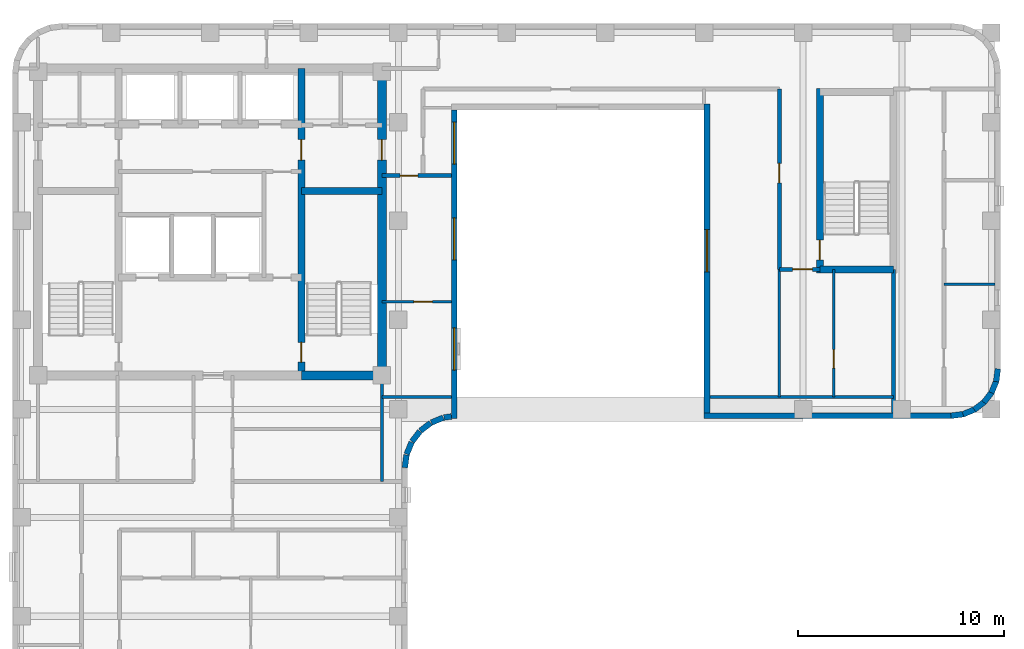
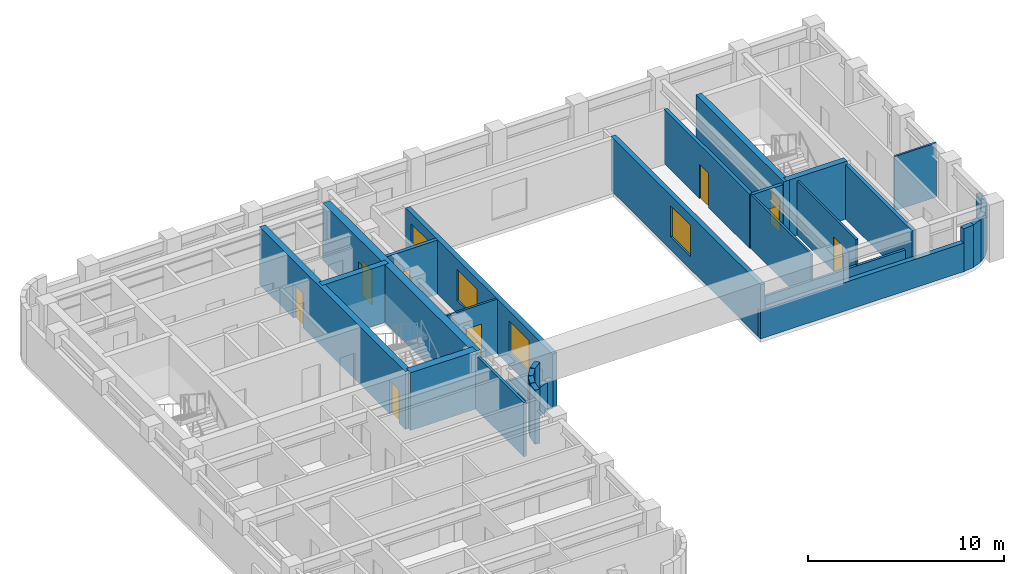
# One storey, part 4 of 8: 32 walls, 9 doors, 4 windows, 13 openings.
"""IFC4 building model written with IfcOpenShell, lengths in metres."""

from ifc_helpers import new_model, si_unit, direction, frame, frame_2d, origin, place, context, subcontext, project, spatial, rectangle, extrude, material, layer, layer_set, type_object, element, fill, save


model = new_model("IFC4")

# Units and contexts
model_context = context("Model", 3, precision=1e-05, world=origin(), true_north=direction((0.0, 1.0)))
body_context = subcontext(model_context, "Body", "Model", "MODEL_VIEW")
ifc_project = project(units=[si_unit("LENGTHUNIT", "METRE"), si_unit("AREAUNIT", "SQUARE_METRE"), si_unit("VOLUMEUNIT", "CUBIC_METRE"), si_unit("PLANEANGLEUNIT", "RADIAN"), si_unit("MASSUNIT", "GRAM", prefix="KILO")], contexts=[model_context])

# Site, building, storey
site_placement = place(None, origin())
site = spatial("IfcSite", under=ifc_project, at=site_placement, CompositionType="ELEMENT")
building_placement = place(site_placement, origin())
building = spatial("IfcBuilding", under=site, at=building_placement, Name="Orvandelia Arch Residences", CompositionType="ELEMENT")
storey_placement = place(building_placement, frame((0.0, 0.0, 203.800048828125)))
storey = spatial("IfcBuildingStorey", under=building, at=storey_placement, Name="L53", CompositionType="ELEMENT", Elevation=203.800048828125)

# Wall, openings, doors
ifc_material_1 = material(Name="Concrete C50/60", Category="concrete")
ifc_layer_1 = layer(ifc_material_1, 0.35009765625, Name="Concrete C50/60", Category="concrete")
ifc_layer_set_1 = layer_set([ifc_layer_1], Name="Concrete C50/60")
wall_type_1 = type_object("IfcWallType", Name="WL-CORE-350", PredefinedType="SHEAR", material=ifc_layer_set_1)
wall_1_placement = place(storey_placement, frame((18.840087890625, 30.89990234375, 0.0), z_axis=(0.0, 0.0, 1.0), x_axis=(0.0, 1.0, 0.0)))
wall_1 = element("IfcWall", 1, at=wall_1_placement, inside=storey, type_object=wall_type_1, Name="Core Shear Wall L53-WEB2", PredefinedType="SHEAR", context=body_context, shape_type="SweptSolid", body=[
    extrude(rectangle(XDim=14.900146484375, YDim=0.35009765625, at=frame_2d((7.4501953125, 0.0))), origin(), (0.0, 0.0, 1.0), 3.599853515625),
])
opening_1_placement = place(wall_1_placement, frame((0.64990234375, 0.0, 0.0)))
opening_1 = element("IfcOpeningElement", 2, at=opening_1_placement, cuts=wall_1, Name="Opening D7", PredefinedType="OPENING", context=body_context, shape_type="SweptSolid", body=[
    extrude(rectangle(XDim=0.949951171875, YDim=2.10009765625, at=frame_2d((0.47509765625, 1.050048828125))), frame((0.0, 0.18505859375, 0.0), z_axis=(0.0, -1.0, 0.0), x_axis=(1.0, 0.0, 0.0)), (0.0, 0.0, 1.0), 0.3701171875),
])
opening_2_placement = place(wall_1_placement, frame((10.449951171875, 0.0, 0.0)))
opening_2 = element("IfcOpeningElement", 3, at=opening_2_placement, cuts=wall_1, Name="Opening D6", PredefinedType="OPENING", context=body_context, shape_type="SweptSolid", body=[
    extrude(rectangle(XDim=1.0, YDim=2.14990234375, at=frame_2d((0.5, 1.074951171875))), frame((0.0, 0.18505859375, 0.0), z_axis=(0.0, -1.0, 0.0), x_axis=(1.0, 0.0, 0.0)), (0.0, 0.0, 1.0), 0.3701171875),
])
ifc_material_2 = material(Name="Smokeproof Painted Steel Fire Door", Category="steel")
door_type_1 = type_object("IfcDoorType", Name="DR-FD60-1000", OperationType="NOTDEFINED", PredefinedType="DOOR", material=ifc_material_2)
door_1_placement = place(opening_2_placement, origin())
door_1 = element("IfcDoor", 4, at=door_1_placement, inside=storey, type_object=door_type_1, Name="High-Rise Lift Hall East Vestibule Door L53", OperationType="SINGLE_SWING_RIGHT", OverallHeight=2.14990234375, OverallWidth=1.0, PredefinedType="DOOR", context=body_context, shape_type="SweptSolid", body=[
    extrude(rectangle(XDim=1.0, YDim=2.14990234375, at=frame_2d((0.5, 1.074951171875))), frame((0.0, 0.02490234375, 0.0), z_axis=(0.0, -1.0, 0.0), x_axis=(1.0, 0.0, 0.0)), (0.0, 0.0, 1.0), 0.050048828125),
])
fill(opening_2, door_1)
ifc_material_3 = material(Name="Pressurised Stairwell Fire Door")
door_type_2 = type_object("IfcDoorType", Name="DR-STAIR-950", OperationType="NOTDEFINED", PredefinedType="DOOR", material=ifc_material_3)
door_2_placement = place(opening_1_placement, origin())
door_2 = element("IfcDoor", 5, at=door_2_placement, inside=storey, type_object=door_type_2, Name="Stairwell ST-2 Fire Door L53", OperationType="SINGLE_SWING_RIGHT", OverallHeight=2.10009765625, OverallWidth=0.949951171875, PredefinedType="DOOR", context=body_context, shape_type="SweptSolid", body=[
    extrude(rectangle(XDim=0.949951171875, YDim=2.10009765625, at=frame_2d((0.47509765625, 1.050048828125))), frame((0.0, 0.02490234375, 0.0), z_axis=(0.0, -1.0, 0.0), x_axis=(1.0, 0.0, 0.0)), (0.0, 0.0, 1.0), 0.050048828125),
])
fill(opening_1, door_2)

# Wall
wall_2_placement = place(storey_placement, frame((18.840087890625, 39.85009765625, 0.0), z_axis=(0.0, 0.0, 1.0), x_axis=(1.0, 0.0, 0.0)))
element("IfcWall", 6, at=wall_2_placement, inside=storey, type_object=wall_type_1, Name="Core Shear Wall L53-HZ2", PredefinedType="SHEAR", context=body_context, shape_type="SweptSolid", body=[
    extrude(rectangle(XDim=3.909912109375, YDim=0.35009765625, at=frame_2d((1.955078125, 0.0))), origin(), (0.0, 0.0, 1.0), 3.599853515625),
])

# Wall, opening, door
wall_3_placement = place(storey_placement, frame((44.02001953125, 35.864990234375, 0.0), z_axis=(0.0, 0.0, 1.0), x_axis=(0.0, 1.0, 0.0)))
wall_3 = element("IfcWall", 7, at=wall_3_placement, inside=storey, type_object=wall_type_1, Name="East Stair Core Shear Wall L53-W", PredefinedType="SHEAR", context=body_context, shape_type="SweptSolid", body=[
    extrude(rectangle(XDim=8.969970703125, YDim=0.35009765625, at=frame_2d((4.48486328125, 0.0))), origin(), (0.0, 0.0, 1.0), 3.599853515625),
])
opening_3_placement = place(wall_3_placement, frame((0.64990234375, 0.0, 0.0)))
opening_3 = element("IfcOpeningElement", 8, at=opening_3_placement, cuts=wall_3, Name="Opening D7", PredefinedType="OPENING", context=body_context, shape_type="SweptSolid", body=[
    extrude(rectangle(XDim=0.949951171875, YDim=2.10009765625, at=frame_2d((0.47509765625, 1.050048828125))), frame((0.0, 0.18505859375, 0.0), z_axis=(0.0, -1.0, 0.0), x_axis=(1.0, 0.0, 0.0)), (0.0, 0.0, 1.0), 0.3701171875),
])
door_3_placement = place(opening_3_placement, origin())
door_3 = element("IfcDoor", 9, at=door_3_placement, inside=storey, type_object=door_type_2, Name="East Stairwell ST-3 Fire Door L53", OperationType="SINGLE_SWING_LEFT", OverallHeight=2.10009765625, OverallWidth=0.949951171875, PredefinedType="DOOR", context=body_context, shape_type="SweptSolid", body=[
    extrude(rectangle(XDim=0.949951171875, YDim=2.10009765625, at=frame_2d((0.47509765625, 1.050048828125))), frame((0.0, 0.02490234375, 0.0), z_axis=(0.0, -1.0, 0.0), x_axis=(1.0, 0.0, 0.0)), (0.0, 0.0, 1.0), 0.050048828125),
])
fill(opening_3, door_3)

# Wall
wall_4_placement = place(storey_placement, frame((44.02001953125, 36.0400390625, 0.0), z_axis=(0.0, 0.0, 1.0), x_axis=(1.0, 0.0, 0.0)))
element("IfcWall", 10, at=wall_4_placement, inside=storey, type_object=wall_type_1, Name="East Stair Core Shear Wall L53-S", PredefinedType="SHEAR", context=body_context, shape_type="SweptSolid", body=[
    extrude(rectangle(XDim=3.580078125, YDim=0.35009765625, at=frame_2d((1.7900390625, 0.0))), origin(), (0.0, 0.0, 1.0), 3.599853515625),
])

# Wall, opening, door
ifc_layer_2 = layer(ifc_material_1, 0.449951171875, Name="Concrete C50/60", Category="concrete")
ifc_layer_set_2 = layer_set([ifc_layer_2], Name="Concrete C50/60")
wall_type_2 = type_object("IfcWallType", Name="WL-CORE-450", PredefinedType="SHEAR", material=ifc_layer_set_2)
wall_5_placement = place(storey_placement, frame((22.75, 30.675048828125, 0.0), z_axis=(0.0, 0.0, 1.0), x_axis=(0.0, 1.0, 0.0)))
wall_5 = element("IfcWall", 11, at=wall_5_placement, inside=storey, type_object=wall_type_2, Name="Core Shear Wall L53-E", PredefinedType="SHEAR", context=body_context, shape_type="SweptSolid", body=[
    extrude(rectangle(XDim=15.349853515625, YDim=0.449951171875, at=frame_2d((7.6748046875, 0.0))), origin(), (0.0, 0.0, 1.0), 3.599853515625),
])
opening_4_placement = place(wall_5_placement, frame((10.675048828125, 0.0, 0.0)))
opening_4 = element("IfcOpeningElement", 12, at=opening_4_placement, cuts=wall_5, Name="Opening D6", PredefinedType="OPENING", context=body_context, shape_type="SweptSolid", body=[
    extrude(rectangle(XDim=1.0, YDim=2.14990234375, at=frame_2d((0.5, 1.074951171875))), frame((0.0, 0.23486328125, 0.0), z_axis=(0.0, -1.0, 0.0), x_axis=(1.0, 0.0, 0.0)), (0.0, 0.0, 1.0), 0.469970703125),
])
door_4_placement = place(opening_4_placement, origin())
door_4 = element("IfcDoor", 13, at=door_4_placement, inside=storey, type_object=door_type_1, Name="Core East Corridor Link Door L53", OperationType="SINGLE_SWING_LEFT", OverallHeight=2.14990234375, OverallWidth=1.0, PredefinedType="DOOR", context=body_context, shape_type="SweptSolid", body=[
    extrude(rectangle(XDim=1.0, YDim=2.14990234375, at=frame_2d((0.5, 1.074951171875))), frame((0.0, 0.02490234375, 0.0), z_axis=(0.0, -1.0, 0.0), x_axis=(1.0, 0.0, 0.0)), (0.0, 0.0, 1.0), 0.050048828125),
])
fill(opening_4, door_4)

# Wall
wall_6_placement = place(storey_placement, frame((18.840087890625, 30.89990234375, 0.0), z_axis=(0.0, 0.0, 1.0), x_axis=(1.0, 0.0, 0.0)))
element("IfcWall", 14, at=wall_6_placement, inside=storey, type_object=wall_type_2, Name="Core Shear Wall L53-SE", PredefinedType="SHEAR", context=body_context, shape_type="SweptSolid", body=[
    extrude(rectangle(XDim=3.909912109375, YDim=0.449951171875, at=frame_2d((1.955078125, 0.0))), origin(), (0.0, 0.0, 1.0), 3.599853515625),
])

# Wall, opening, door
ifc_material_4 = material(Name="Fire-Rated Corridor Partition")
ifc_layer_3 = layer(ifc_material_4, 0.199951171875, Name="Fire-Rated Corridor Partition")
ifc_layer_set_3 = layer_set([ifc_layer_3], Name="Fire-Rated Corridor Partition")
wall_type_3 = type_object("IfcWallType", Name="WL-CORR-200", PredefinedType="PARTITIONING", material=ifc_layer_set_3)
wall_7_placement = place(storey_placement, frame((22.75, 40.60009765625, 0.0), z_axis=(0.0, 0.0, 1.0), x_axis=(1.0, 0.0, 0.0)))
wall_7 = element("IfcWall", 15, at=wall_7_placement, inside=storey, type_object=wall_type_3, Name="Interior Partition Wall WL-L53-ENP-LS", PredefinedType="PARTITIONING", context=body_context, shape_type="SweptSolid", body=[
    extrude(rectangle(XDim=3.3701171875, YDim=0.199951171875, at=frame_2d((1.68505859375, 0.0))), origin(), (0.0, 0.0, 1.0), 3.3798828125),
])
opening_5_placement = place(wall_7_placement, frame((0.8798828125, 0.0, 0.0)))
opening_5 = element("IfcOpeningElement", 16, at=opening_5_placement, cuts=wall_7, Name="Opening D4", PredefinedType="OPENING", context=body_context, shape_type="SweptSolid", body=[
    extrude(rectangle(XDim=0.860107421875, YDim=2.10009765625, at=frame_2d((0.43017578125, 1.050048828125))), frame((0.0, 0.10986328125, 0.0), z_axis=(0.0, -1.0, 0.0), x_axis=(1.0, 0.0, 0.0)), (0.0, 0.0, 1.0), 0.219970703125),
])
ifc_material_5 = material(Name="Moisture-Sealed Timber Bathroom Door", Category="wood")
door_type_3 = type_object("IfcDoorType", Name="DR-WET-900", OperationType="NOTDEFINED", PredefinedType="DOOR", material=ifc_material_5)
door_5_placement = place(opening_5_placement, origin())
door_5 = element("IfcDoor", 17, at=door_5_placement, inside=storey, type_object=door_type_3, Name="DR-L53-VPWL2", OperationType="SINGLE_SWING_RIGHT", OverallHeight=2.10009765625, OverallWidth=0.860107421875, PredefinedType="DOOR", context=body_context, shape_type="SweptSolid", body=[
    extrude(rectangle(XDim=0.860107421875, YDim=2.10009765625, at=frame_2d((0.43017578125, 1.050048828125))), frame((0.0, 0.02490234375, 0.0), z_axis=(0.0, -1.0, 0.0), x_axis=(1.0, 0.0, 0.0)), (0.0, 0.0, 1.0), 0.050048828125),
])
fill(opening_5, door_5)

wall_8_placement = place(storey_placement, frame((42.050048828125, 36.050048828125, 0.0), z_axis=(0.0, 0.0, 1.0), x_axis=(0.0, 1.0, 0.0)))
wall_8 = element("IfcWall", 18, at=wall_8_placement, inside=storey, type_object=wall_type_3, Name="Interior Partition Wall WL-L53-ENP-SW", PredefinedType="PARTITIONING", context=body_context, shape_type="SweptSolid", body=[
    extrude(rectangle(XDim=8.75, YDim=0.199951171875, at=frame_2d((4.375, 0.0))), origin(), (0.0, 0.0, 1.0), 3.3798828125),
])
opening_6_placement = place(wall_8_placement, frame((4.199951171875, 0.0, 0.0)))
opening_6 = element("IfcOpeningElement", 19, at=opening_6_placement, cuts=wall_8, Name="Opening D2", PredefinedType="OPENING", context=body_context, shape_type="SweptSolid", body=[
    extrude(rectangle(XDim=0.949951171875, YDim=2.14990234375, at=frame_2d((0.47509765625, 1.074951171875))), frame((0.0, 0.10986328125, 0.0), z_axis=(0.0, -1.0, 0.0), x_axis=(1.0, 0.0, 0.0)), (0.0, 0.0, 1.0), 0.219970703125),
])
ifc_material_6 = material(Name="Solid-Core Timber Interior Fire Door", Category="wood")
door_type_4 = type_object("IfcDoorType", Name="DR-APT-950", OperationType="NOTDEFINED", PredefinedType="DOOR", material=ifc_material_6)
door_6_placement = place(opening_6_placement, origin())
door_6 = element("IfcDoor", 20, at=door_6_placement, inside=storey, type_object=door_type_4, Name="DR-L53-VPE1", OperationType="SINGLE_SWING_LEFT", OverallHeight=2.14990234375, OverallWidth=0.949951171875, PredefinedType="DOOR", context=body_context, shape_type="SweptSolid", body=[
    extrude(rectangle(XDim=0.949951171875, YDim=2.14990234375, at=frame_2d((0.47509765625, 1.074951171875))), frame((0.0, 0.02490234375, 0.0), z_axis=(0.0, -1.0, 0.0), x_axis=(1.0, 0.0, 0.0)), (0.0, 0.0, 1.0), 0.050048828125),
])
fill(opening_6, door_6)

wall_9_placement = place(storey_placement, frame((42.050048828125, 36.050048828125, 0.0), z_axis=(0.0, 0.0, 1.0), x_axis=(1.0, 0.0, 0.0)))
wall_9 = element("IfcWall", 21, at=wall_9_placement, inside=storey, type_object=wall_type_3, Name="Interior Partition Wall WL-L53-ENP-SS", PredefinedType="PARTITIONING", context=body_context, shape_type="SweptSolid", body=[
    extrude(rectangle(XDim=1.969970703125, YDim=0.199951171875, at=frame_2d((0.98486328125, 0.0))), origin(), (0.0, 0.0, 1.0), 3.3798828125),
])
opening_7_placement = place(wall_9_placement, frame((0.64990234375, 0.0, 0.0)))
opening_7 = element("IfcOpeningElement", 22, at=opening_7_placement, cuts=wall_9, Name="Opening D2", PredefinedType="OPENING", context=body_context, shape_type="SweptSolid", body=[
    extrude(rectangle(XDim=0.949951171875, YDim=2.14990234375, at=frame_2d((0.47509765625, 1.074951171875))), frame((0.0, 0.10986328125, 0.0), z_axis=(0.0, -1.0, 0.0), x_axis=(1.0, 0.0, 0.0)), (0.0, 0.0, 1.0), 0.219970703125),
])
door_7_placement = place(opening_7_placement, origin())
door_7 = element("IfcDoor", 23, at=door_7_placement, inside=storey, type_object=door_type_4, Name="DR-L53-VPS3A", OperationType="SINGLE_SWING_LEFT", OverallHeight=2.14990234375, OverallWidth=0.949951171875, PredefinedType="DOOR", context=body_context, shape_type="SweptSolid", body=[
    extrude(rectangle(XDim=0.949951171875, YDim=2.14990234375, at=frame_2d((0.47509765625, 1.074951171875))), frame((0.0, 0.02490234375, 0.0), z_axis=(0.0, -1.0, 0.0), x_axis=(1.0, 0.0, 0.0)), (0.0, 0.0, 1.0), 0.050048828125),
])
fill(opening_7, door_7)

# Walls
ifc_material_7 = material(Name="Concrete C40/50", Category="concrete")
ifc_layer_4 = layer(ifc_material_7, 0.199951171875, Name="Concrete C40/50", Category="concrete")
ifc_layer_set_4 = layer_set([ifc_layer_4], Name="Concrete C40/50")
wall_type_4 = type_object("IfcWallType", Name="WL-DEM-200", PredefinedType="SOLIDWALL", material=ifc_layer_set_4)
wall_10_placement = place(storey_placement, frame((47.60009765625, 29.080078125, 0.0), z_axis=(0.0, 0.0, 1.0), x_axis=(0.0, 1.0, 0.0)))
element("IfcWall", 24, at=wall_10_placement, inside=storey, type_object=wall_type_4, Name="Interior Partition Wall WL-L53-VPS3-E", PredefinedType="SOLIDWALL", context=body_context, shape_type="SweptSolid", body=[
    extrude(rectangle(XDim=6.9599609375, YDim=0.199951171875, at=frame_2d((3.47998046875, 0.0))), origin(), (0.0, 0.0, 1.0), 3.3798828125),
])
ifc_material_8 = material(Name="Precast concrete C40/50", Category="concrete")
ifc_layer_5 = layer(ifc_material_8, 0.280029296875, Name="Precast concrete C40/50", Category="concrete")
ifc_layer_set_5 = layer_set([ifc_layer_5], Name="Precast concrete C40/50")
wall_type_5 = type_object("IfcWallType", Name="WL-EXT-STONE-280", PredefinedType="STANDARD", material=ifc_layer_set_5)
wall_11_placement = place(storey_placement, frame((52.6611328125, 31.21826171875, 0.0), z_axis=(0.0, 0.0, 1.0), x_axis=(-0.130555323746, -0.9914410257, 0.0)))
element("IfcWall", 25, at=wall_11_placement, inside=storey, type_object=wall_type_5, Name="Coral-Limestone Precast Facade Wall L53-015", PredefinedType="STANDARD", context=body_context, shape_type="SweptSolid", body=[
    extrude(rectangle(XDim=0.62646484375, YDim=0.280029296875, at=frame_2d((0.313232421875, 0.0))), origin(), (0.0, 0.0, 1.0), 2.659912109375),
])
wall_12_placement = place(storey_placement, frame((52.5888671875, 30.63232421875, 0.0), z_axis=(0.0, 0.0, 1.0), x_axis=(-0.382787856107, -0.923836271867, 0.0)))
element("IfcWall", 26, at=wall_12_placement, inside=storey, type_object=wall_type_5, Name="Coral-Limestone Precast Facade Wall L53-016", PredefinedType="STANDARD", context=body_context, shape_type="SweptSolid", body=[
    extrude(rectangle(XDim=0.626220703125, YDim=0.280029296875, at=frame_2d((0.31298828125, 0.0))), origin(), (0.0, 0.0, 1.0), 2.659912109375),
])
for number, where, z_axis, x_axis, name in (
    (27, (52.367431640625, 30.085205078125, 0.0), (0.0, 0.0, 1.0), (-0.608693302629, -0.793405610854, 0.0), "Coral-Limestone Precast Facade Wall L53-017"),
    (28, (52.011962890625, 29.614013671875, 0.0), (0.0, 0.0, 1.0), (-0.793405610854, -0.608693302629, 0.0), "Coral-Limestone Precast Facade Wall L53-018"),
    (29, (51.54638671875, 29.250732421875, 0.0), (0.0, 0.0, 1.0), (-0.92389335771, -0.382650053678, 0.0), "Coral-Limestone Precast Facade Wall L53-019"),
):
    element("IfcWall", number, at=place(storey_placement, frame(where, z_axis=z_axis, x_axis=x_axis)), inside=storey, type_object=wall_type_5, Name=name, PredefinedType="STANDARD", context=body_context, shape_type="SweptSolid", body=[
        extrude(rectangle(XDim=0.62646484375, YDim=0.280029296875, at=frame_2d((0.313232421875, 0.0))), origin(), (0.0, 0.0, 1.0), 2.659912109375),
    ])
wall_13_placement = place(storey_placement, frame((51.0029296875, 29.0205078125, 0.0), z_axis=(0.0, 0.0, 1.0), x_axis=(-0.991447664465, -0.130504898859, 0.0)))
element("IfcWall", 30, at=wall_13_placement, inside=storey, type_object=wall_type_5, Name="Coral-Limestone Precast Facade Wall L53-020", PredefinedType="STANDARD", context=body_context, shape_type="SweptSolid", body=[
    extrude(rectangle(XDim=0.626708984375, YDim=0.280029296875, at=frame_2d((0.3134765625, 0.0))), origin(), (0.0, 0.0, 1.0), 2.659912109375),
])
wall_14_placement = place(storey_placement, frame((50.39990234375, 28.93994140625, 0.0), z_axis=(0.0, 0.0, 1.0), x_axis=(-1.0, 0.0, 0.0)))
element("IfcWall", 31, at=wall_14_placement, inside=storey, type_object=wall_type_5, Name="Coral-Limestone Precast Facade Wall L53-021", PredefinedType="STANDARD", context=body_context, shape_type="SweptSolid", body=[
    extrude(rectangle(XDim=12.0, YDim=0.280029296875, at=frame_2d((6.0, 0.0))), origin(), (0.0, 0.0, 1.0), 1.780029296875),
])

# Wall, opening, window
wall_15_placement = place(storey_placement, frame((38.5400390625, 28.800048828125, 0.0), z_axis=(0.0, 0.0, 1.0), x_axis=(0.0, 1.0, 0.0)))
wall_15 = element("IfcWall", 32, at=wall_15_placement, inside=storey, type_object=wall_type_5, Name="Coral-Limestone Precast Facade Wall L53-022", PredefinedType="STANDARD", context=body_context, shape_type="SweptSolid", body=[
    extrude(rectangle(XDim=15.280029296875, YDim=0.280029296875, at=frame_2d((7.64013671875, 0.0))), origin(), (0.0, 0.0, 1.0), 3.3798828125),
])
opening_8_placement = place(wall_15_placement, frame((7.1298828125, 0.0, 0.800048828125)))
opening_8 = element("IfcOpeningElement", 33, at=opening_8_placement, cuts=wall_15, Name="Opening W8", PredefinedType="OPENING", context=body_context, shape_type="SweptSolid", body=[
    extrude(rectangle(XDim=2.050048828125, YDim=1.949951171875, at=frame_2d((1.02490234375, 0.97509765625))), frame((0.0, 0.14990234375, 0.0), z_axis=(0.0, -1.0, 0.0), x_axis=(1.0, 0.0, 0.0)), (0.0, 0.0, 1.0), 0.300048828125),
])
ifc_material_9 = material(Name="Tempered Low-E Insulated Glazing", Category="glass")
window_type = type_object("IfcWindowType", Name="WIN-UPP-2050x1950", PartitioningType="SINGLE_PANEL", PredefinedType="WINDOW", material=ifc_material_9)
window_1_placement = place(opening_8_placement, origin())
window_1 = element("IfcWindow", 34, at=window_1_placement, inside=storey, type_object=window_type, Name="Recessed Punched Window L53-007", OverallHeight=1.949951171875, OverallWidth=2.050048828125, PartitioningType="SINGLE_PANEL", PredefinedType="WINDOW", context=body_context, shape_type="SweptSolid", body=[
    extrude(rectangle(XDim=2.050048828125, YDim=1.949951171875, at=frame_2d((1.02490234375, 0.97509765625))), frame((0.0, 0.030029296875, 0.0), z_axis=(0.0, -1.0, 0.0), x_axis=(1.0, 0.0, 0.0)), (0.0, 0.0, 1.0), 0.06005859375),
])
fill(opening_8, window_1)

# Wall, openings, windows
wall_16_placement = place(storey_placement, frame((26.260009765625, 43.800048828125, 0.0), z_axis=(0.0, 0.0, 1.0), x_axis=(0.0, -1.0, 0.0)))
wall_16 = element("IfcWall", 35, at=wall_16_placement, inside=storey, type_object=wall_type_5, Name="Coral-Limestone Precast Facade Wall L53-024", PredefinedType="STANDARD", context=body_context, shape_type="SweptSolid", body=[
    extrude(rectangle(XDim=15.0, YDim=0.280029296875, at=frame_2d((7.5, 0.0))), origin(), (0.0, 0.0, 1.0), 3.3798828125),
])
opening_9_placement = place(wall_16_placement, frame((10.590087890625, 0.0, 0.800048828125)))
opening_9 = element("IfcOpeningElement", 36, at=opening_9_placement, cuts=wall_16, Name="Opening W8", PredefinedType="OPENING", context=body_context, shape_type="SweptSolid", body=[
    extrude(rectangle(XDim=2.050048828125, YDim=1.949951171875, at=frame_2d((1.02490234375, 0.97509765625))), frame((0.0, 0.14990234375, 0.0), z_axis=(0.0, -1.0, 0.0), x_axis=(1.0, 0.0, 0.0)), (0.0, 0.0, 1.0), 0.300048828125),
])
opening_10_placement = place(wall_16_placement, frame((5.2451171875, 0.0, 0.800048828125)))
opening_10 = element("IfcOpeningElement", 37, at=opening_10_placement, cuts=wall_16, Name="Opening W8", PredefinedType="OPENING", context=body_context, shape_type="SweptSolid", body=[
    extrude(rectangle(XDim=2.050048828125, YDim=1.949951171875, at=frame_2d((1.02490234375, 0.97509765625))), frame((0.0, 0.14990234375, 0.0), z_axis=(0.0, -1.0, 0.0), x_axis=(1.0, 0.0, 0.0)), (0.0, 0.0, 1.0), 0.300048828125),
])
opening_11_placement = place(wall_16_placement, frame((0.594970703125, 0.0, 0.800048828125)))
opening_11 = element("IfcOpeningElement", 38, at=opening_11_placement, cuts=wall_16, Name="Opening W8", PredefinedType="OPENING", context=body_context, shape_type="SweptSolid", body=[
    extrude(rectangle(XDim=2.050048828125, YDim=1.949951171875, at=frame_2d((1.02490234375, 0.97509765625))), frame((0.0, 0.14990234375, 0.0), z_axis=(0.0, -1.0, 0.0), x_axis=(1.0, 0.0, 0.0)), (0.0, 0.0, 1.0), 0.300048828125),
])
window_2_placement = place(opening_9_placement, origin())
window_2 = element("IfcWindow", 39, at=window_2_placement, inside=storey, type_object=window_type, Name="Recessed Punched Window L53-009", OverallHeight=1.949951171875, OverallWidth=2.050048828125, PartitioningType="SINGLE_PANEL", PredefinedType="WINDOW", context=body_context, shape_type="SweptSolid", body=[
    extrude(rectangle(XDim=2.050048828125, YDim=1.949951171875, at=frame_2d((1.02490234375, 0.97509765625))), frame((0.0, 0.030029296875, 0.0), z_axis=(0.0, -1.0, 0.0), x_axis=(1.0, 0.0, 0.0)), (0.0, 0.0, 1.0), 0.06005859375),
])
fill(opening_9, window_2)
window_3_placement = place(opening_10_placement, origin())
window_3 = element("IfcWindow", 40, at=window_3_placement, inside=storey, type_object=window_type, Name="Recessed Punched Window L53-010", OverallHeight=1.949951171875, OverallWidth=2.050048828125, PartitioningType="SINGLE_PANEL", PredefinedType="WINDOW", context=body_context, shape_type="SweptSolid", body=[
    extrude(rectangle(XDim=2.050048828125, YDim=1.949951171875, at=frame_2d((1.02490234375, 0.97509765625))), frame((0.0, 0.030029296875, 0.0), z_axis=(0.0, -1.0, 0.0), x_axis=(1.0, 0.0, 0.0)), (0.0, 0.0, 1.0), 0.06005859375),
])
fill(opening_10, window_3)
window_4_placement = place(opening_11_placement, origin())
window_4 = element("IfcWindow", 41, at=window_4_placement, inside=storey, type_object=window_type, Name="Recessed Punched Window L53-011", OverallHeight=1.949951171875, OverallWidth=2.050048828125, PartitioningType="SINGLE_PANEL", PredefinedType="WINDOW", context=body_context, shape_type="SweptSolid", body=[
    extrude(rectangle(XDim=2.050048828125, YDim=1.949951171875, at=frame_2d((1.02490234375, 0.97509765625))), frame((0.0, 0.030029296875, 0.0), z_axis=(0.0, -1.0, 0.0), x_axis=(1.0, 0.0, 0.0)), (0.0, 0.0, 1.0), 0.06005859375),
])
fill(opening_11, window_4)

# Walls
wall_17_placement = place(storey_placement, frame((26.123779296875, 28.90478515625, 0.0), z_axis=(0.0, 0.0, 1.0), x_axis=(-0.991436143334, -0.130592395224, 0.0)))
element("IfcWall", 42, at=wall_17_placement, inside=storey, type_object=wall_type_5, Name="Coral-Limestone Precast Facade Wall L53-025", PredefinedType="STANDARD", context=body_context, shape_type="SweptSolid", body=[
    extrude(rectangle(XDim=0.366455078125, YDim=0.280029296875, at=frame_2d((0.18310546875, 0.0))), origin(), (0.0, 0.0, 1.0), 1.780029296875),
])
wall_18_placement = place(storey_placement, frame((25.72509765625, 28.847412109375, 0.0), z_axis=(0.0, 0.0, 1.0), x_axis=(-0.923974080304, -0.382455093999, 0.0)))
element("IfcWall", 43, at=wall_18_placement, inside=storey, type_object=wall_type_5, Name="Coral-Limestone Precast Facade Wall L53-026", PredefinedType="STANDARD", context=body_context, shape_type="SweptSolid", body=[
    extrude(rectangle(XDim=0.626220703125, YDim=0.280029296875, at=frame_2d((0.31298828125, 0.0))), origin(), (0.0, 0.0, 1.0), 1.780029296875),
])
for number, where, z_axis, x_axis, name in (
    (44, (25.11474609375, 28.589599609375, 0.0), (0.0, 0.0, 1.0), (-0.793405610854, -0.608693302629, 0.0), "Coral-Limestone Precast Facade Wall L53-027"),
    (45, (24.591796875, 28.182373046875, 0.0), (0.0, 0.0, 1.0), (-0.608693302629, -0.793405610854, 0.0), "Coral-Limestone Precast Facade Wall L53-028"),
    (46, (24.192138671875, 27.653564453125, 0.0), (0.0, 0.0, 1.0), (-0.382650053678, -0.92389335771, 0.0), "Coral-Limestone Precast Facade Wall L53-029"),
):
    element("IfcWall", number, at=place(storey_placement, frame(where, z_axis=z_axis, x_axis=x_axis)), inside=storey, type_object=wall_type_5, Name=name, PredefinedType="STANDARD", context=body_context, shape_type="SweptSolid", body=[
        extrude(rectangle(XDim=0.62646484375, YDim=0.280029296875, at=frame_2d((0.313232421875, 0.0))), origin(), (0.0, 0.0, 1.0), 3.3798828125),
    ])
wall_19_placement = place(storey_placement, frame((23.943115234375, 27.03955078125, 0.0), z_axis=(0.0, 0.0, 1.0), x_axis=(-0.130887801573, -0.991397187508, 0.0)))
element("IfcWall", 47, at=wall_19_placement, inside=storey, type_object=wall_type_5, Name="Coral-Limestone Precast Facade Wall L53-030", PredefinedType="STANDARD", context=body_context, shape_type="SweptSolid", body=[
    extrude(rectangle(XDim=0.626708984375, YDim=0.280029296875, at=frame_2d((0.3134765625, 0.0))), origin(), (0.0, 0.0, 1.0), 3.3798828125),
])

# Wall, opening, door
ifc_material_10 = material(Name="Lightweight Gypsum Stud Partition")
ifc_layer_6 = layer(ifc_material_10, 0.1201171875, Name="Lightweight Gypsum Stud Partition")
ifc_layer_set_6 = layer_set([ifc_layer_6], Name="Lightweight Gypsum Stud Partition")
wall_type_6 = type_object("IfcWallType", Name="WL-PART-120", PredefinedType="PARTITIONING", material=ifc_layer_set_6)
wall_20_placement = place(storey_placement, frame((22.75, 34.47998046875, 0.0), z_axis=(0.0, 0.0, 1.0), x_axis=(1.0, 0.0, 0.0)))
wall_20 = element("IfcWall", 48, at=wall_20_placement, inside=storey, type_object=wall_type_6, Name="Interior Partition Wall WL-L53-VPW-M", PredefinedType="PARTITIONING", context=body_context, shape_type="SweptSolid", body=[
    extrude(rectangle(XDim=3.3701171875, YDim=0.1201171875, at=frame_2d((1.68505859375, 0.0))), origin(), (0.0, 0.0, 1.0), 3.3798828125),
])
opening_12_placement = place(wall_20_placement, frame((1.550048828125, 0.0, 0.0)))
opening_12 = element("IfcOpeningElement", 49, at=opening_12_placement, cuts=wall_20, Name="Opening D3", PredefinedType="OPENING", context=body_context, shape_type="SweptSolid", body=[
    extrude(rectangle(XDim=0.89990234375, YDim=2.14990234375, at=frame_2d((0.449951171875, 1.074951171875))), frame((0.0, 0.070068359375, 0.0), z_axis=(0.0, -1.0, 0.0), x_axis=(1.0, 0.0, 0.0)), (0.0, 0.0, 1.0), 0.14013671875),
])
ifc_material_11 = material(Name="Engineered Timber Flush Door", Category="wood")
door_type_5 = type_object("IfcDoorType", Name="DR-INT-900", OperationType="NOTDEFINED", PredefinedType="DOOR", material=ifc_material_11)
door_8_placement = place(opening_12_placement, origin())
door_8 = element("IfcDoor", 50, at=door_8_placement, inside=storey, type_object=door_type_5, Name="DR-L53-VPWL1", OperationType="SINGLE_SWING_LEFT", OverallHeight=2.14990234375, OverallWidth=0.89990234375, PredefinedType="DOOR", context=body_context, shape_type="SweptSolid", body=[
    extrude(rectangle(XDim=0.89990234375, YDim=2.14990234375, at=frame_2d((0.449951171875, 1.074951171875))), frame((0.0, 0.02490234375, 0.0), z_axis=(0.0, -1.0, 0.0), x_axis=(1.0, 0.0, 0.0)), (0.0, 0.0, 1.0), 0.050048828125),
])
fill(opening_12, door_8)

wall_21_placement = place(storey_placement, frame((44.699951171875, 29.85009765625, 0.0), z_axis=(0.0, 0.0, 1.0), x_axis=(0.0, 1.0, 0.0)))
wall_21 = element("IfcWall", 51, at=wall_21_placement, inside=storey, type_object=wall_type_6, Name="Interior Partition Wall WL-L53-VPS3-M", PredefinedType="PARTITIONING", context=body_context, shape_type="SweptSolid", body=[
    extrude(rectangle(XDim=6.18994140625, YDim=0.1201171875, at=frame_2d((3.094970703125, 0.0))), origin(), (0.0, 0.0, 1.0), 3.3798828125),
])
opening_13_placement = place(wall_21_placement, frame((1.39990234375, 0.0, 0.0)))
opening_13 = element("IfcOpeningElement", 52, at=opening_13_placement, cuts=wall_21, Name="Opening D3", PredefinedType="OPENING", context=body_context, shape_type="SweptSolid", body=[
    extrude(rectangle(XDim=0.89990234375, YDim=2.14990234375, at=frame_2d((0.449951171875, 1.074951171875))), frame((0.0, 0.070068359375, 0.0), z_axis=(0.0, -1.0, 0.0), x_axis=(1.0, 0.0, 0.0)), (0.0, 0.0, 1.0), 0.14013671875),
])
door_9_placement = place(opening_13_placement, origin())
door_9 = element("IfcDoor", 53, at=door_9_placement, inside=storey, type_object=door_type_5, Name="DR-L53-VPS3B", OperationType="SINGLE_SWING_RIGHT", OverallHeight=2.14990234375, OverallWidth=0.89990234375, PredefinedType="DOOR", context=body_context, shape_type="SweptSolid", body=[
    extrude(rectangle(XDim=0.89990234375, YDim=2.14990234375, at=frame_2d((0.449951171875, 1.074951171875))), frame((0.0, 0.02490234375, 0.0), z_axis=(0.0, -1.0, 0.0), x_axis=(1.0, 0.0, 0.0)), (0.0, 0.0, 1.0), 0.050048828125),
])
fill(opening_13, door_9)

# Walls
wall_22_placement = place(storey_placement, frame((42.050048828125, 29.85009765625, 0.0), z_axis=(0.0, 0.0, 1.0), x_axis=(0.0, 1.0, 0.0)))
element("IfcWall", 54, at=wall_22_placement, inside=storey, type_object=wall_type_6, Name="Interior Partition Wall WL-L53-VPS3-W", PredefinedType="PARTITIONING", context=body_context, shape_type="SweptSolid", body=[
    extrude(rectangle(XDim=6.199951171875, YDim=0.1201171875, at=frame_2d((3.10009765625, 0.0))), origin(), (0.0, 0.0, 1.0), 3.3798828125),
])
wall_23_placement = place(storey_placement, frame((50.04296875, 35.31591796875, 0.0), z_axis=(0.0, 0.0, 1.0), x_axis=(1.0, 0.0, 0.0)))
element("IfcWall", 55, at=wall_23_placement, inside=storey, type_object=wall_type_6, Name="Interior Partition Wall WL-L53-U03-H1", PredefinedType="PARTITIONING", context=body_context, shape_type="SweptSolid", body=[
    extrude(rectangle(XDim=2.47705078125, YDim=0.1201171875, at=frame_2d((1.238525390625, 0.0))), origin(), (0.0, 0.0, 1.0), 3.3798828125),
])
ifc_material_12 = material(Name="Acoustic Gypsum Stud Partition")
ifc_layer_7 = layer(ifc_material_12, 0.14990234375, Name="Acoustic Gypsum Stud Partition")
ifc_layer_set_7 = layer_set([ifc_layer_7], Name="Acoustic Gypsum Stud Partition")
wall_type_7 = type_object("IfcWallType", Name="WL-PART-150", PredefinedType="PARTITIONING", material=ifc_layer_set_7)
wall_24_placement = place(storey_placement, frame((22.75, 25.75, 0.0), z_axis=(0.0, 0.0, 1.0), x_axis=(0.0, 1.0, 0.0)))
element("IfcWall", 56, at=wall_24_placement, inside=storey, type_object=wall_type_7, Name="Interior Partition Wall WL-L53-HI-WE", PredefinedType="PARTITIONING", context=body_context, shape_type="SweptSolid", body=[
    extrude(rectangle(XDim=5.14990234375, YDim=0.14990234375, at=frame_2d((2.574951171875, 0.0))), origin(), (0.0, 0.0, 1.0), 3.3798828125),
])
wall_25_placement = place(storey_placement, frame((22.75, 29.85009765625, 0.0), z_axis=(0.0, 0.0, 1.0), x_axis=(1.0, 0.0, 0.0)))
element("IfcWall", 57, at=wall_25_placement, inside=storey, type_object=wall_type_7, Name="Interior Partition Wall WL-L53-TRUSS-SW", PredefinedType="PARTITIONING", context=body_context, shape_type="SweptSolid", body=[
    extrude(rectangle(XDim=3.3701171875, YDim=0.14990234375, at=frame_2d((1.68505859375, 0.0))), origin(), (0.0, 0.0, 1.0), 1.780029296875),
])
wall_26_placement = place(storey_placement, frame((38.679931640625, 29.85009765625, 0.0), z_axis=(0.0, 0.0, 1.0), x_axis=(1.0, 0.0, 0.0)))
element("IfcWall", 58, at=wall_26_placement, inside=storey, type_object=wall_type_7, Name="Interior Partition Wall WL-L53-TRUSS-SE", PredefinedType="PARTITIONING", context=body_context, shape_type="SweptSolid", body=[
    extrude(rectangle(XDim=8.920166015625, YDim=0.14990234375, at=frame_2d((4.4599609375, 0.0))), origin(), (0.0, 0.0, 1.0), 1.780029296875),
])

save(model, "model.ifc")
